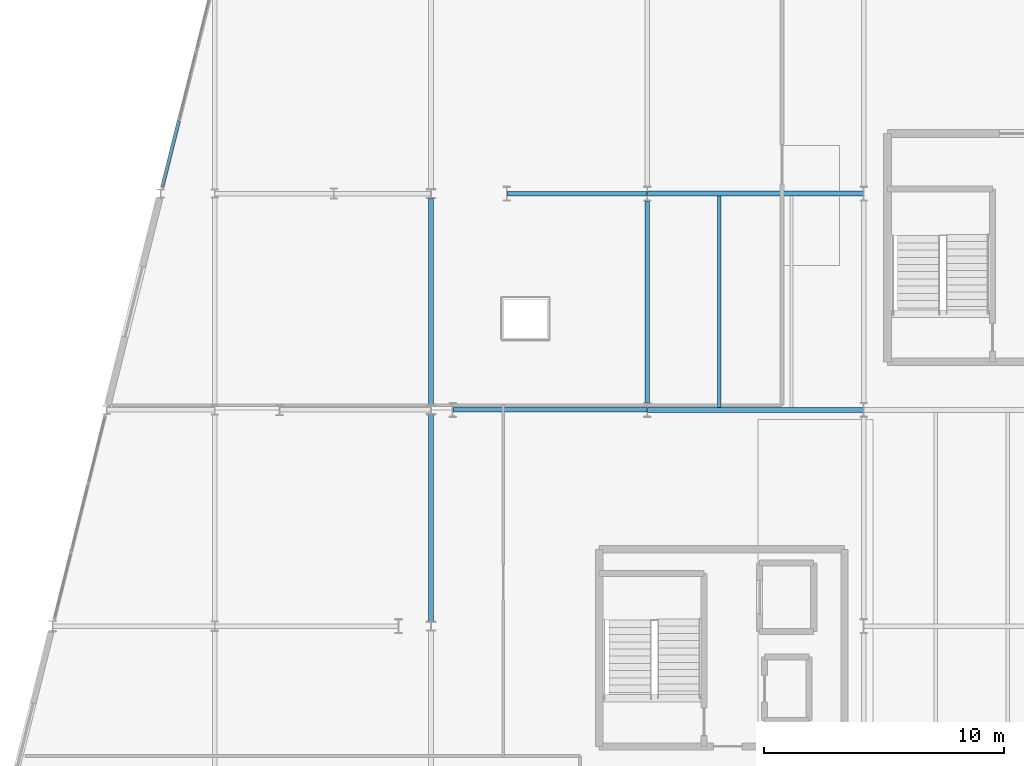
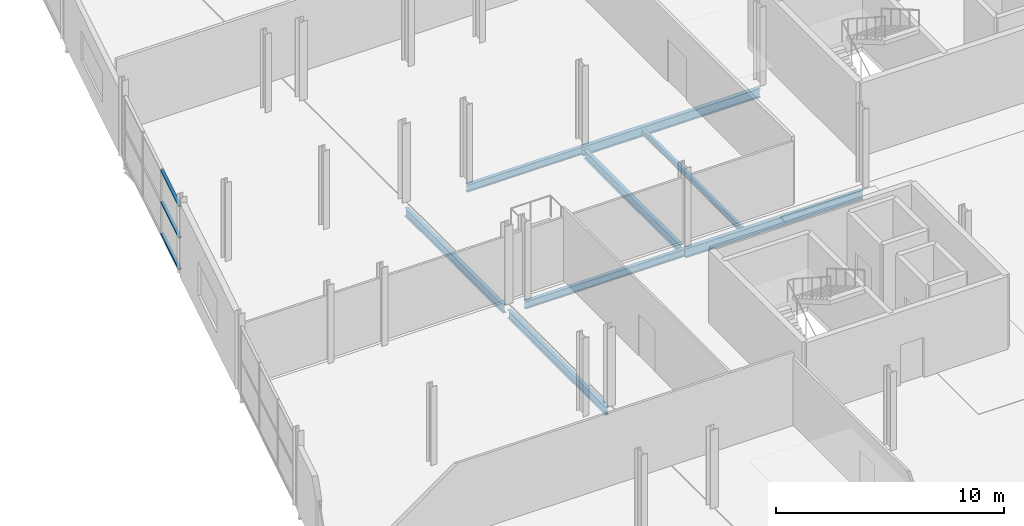
# One storey, part 56 of 103: 8 beams, 3 members, 1 element without a shape of its own.
"""IFC4 building model written with IfcOpenShell, lengths in metres."""

from ifc_helpers import new_model, si_unit, direction, frame, origin, origin_2d, place, context, subcontext, project, spatial, hollow_rectangle, i_section, extrude, material, layer, layer_set, material_profile, profile_set, type_object, element, aggregate, save


model = new_model("IFC4")

# Units and contexts
model_context = context("Model", 3, precision=1e-05, world=origin(), true_north=direction((0.0, 1.0)))
body_context = subcontext(model_context, "Body", "Model", "MODEL_VIEW")
ifc_project = project(units=[si_unit("LENGTHUNIT", "METRE"), si_unit("AREAUNIT", "SQUARE_METRE"), si_unit("VOLUMEUNIT", "CUBIC_METRE"), si_unit("PLANEANGLEUNIT", "RADIAN"), si_unit("MASSUNIT", "GRAM", prefix="KILO")], contexts=[model_context])

# Site, building, storey
site_placement = place(None, origin())
site = spatial("IfcSite", under=ifc_project, at=site_placement, CompositionType="ELEMENT")
building_placement = place(site_placement, origin())
building = spatial("IfcBuilding", under=site, at=building_placement, Name="Deido Ridge Mobility Hub", CompositionType="ELEMENT")
storey_placement = place(building_placement, frame((0.0, 0.0, 12.60009765625)))
storey = spatial("IfcBuildingStorey", under=building, at=storey_placement, Name="L03", CompositionType="ELEMENT", Elevation=12.60009765625)

# Beams
ifc_material_1 = material(Name="Steel S355J2 EN 10025-2", Category="steel")
ifc_material_profile_1 = material_profile(ifc_material_1, i_section(OverallWidth=0.179931640625, OverallDepth=0.39990234375, WebThickness=0.008544921875, FlangeThickness=0.013427734375, FilletRadius=0.02099609375, at=origin_2d()), Name="IPE 400")
ifc_profile_set_1 = profile_set([ifc_material_profile_1], Name="Steel S355J2 EN 10025-2")
beam_type_1 = type_object("IfcBeamType", Name="BM-IPE400", PredefinedType="BEAM", material=ifc_profile_set_1)
beam_1_placement = place(storey_placement, frame((144.90771484375, 36.0, -0.465087890625), z_axis=(1.0, 0.0, 0.0), x_axis=(0.0, 1.0, 0.0)))
element("IfcBeam", 1, at=beam_1_placement, inside=storey, type_object=beam_type_1, Name="Floor beam B5", PredefinedType="BEAM", context=body_context, shape_type="SweptSolid", body=[
    extrude(i_section(OverallWidth=0.179931640625, OverallDepth=0.39990234375, WebThickness=0.008544921875, FlangeThickness=0.013427734375, FilletRadius=0.02099609375, at=origin_2d()), origin(), (0.0, 0.0, 1.0), 8.08447265625),
])
beam_2_placement = place(storey_placement, frame((147.15771484375, 45.0, -0.465087890625), z_axis=(1.0, 0.0, 0.0), x_axis=(0.0, 1.0, 0.0)))
element("IfcBeam", 2, at=beam_2_placement, inside=storey, type_object=beam_type_1, Name="Floor beam B5", PredefinedType="BEAM", context=body_context, shape_type="SweptSolid", body=[
    extrude(i_section(OverallWidth=0.179931640625, OverallDepth=0.39990234375, WebThickness=0.008544921875, FlangeThickness=0.013427734375, FilletRadius=0.02099609375, at=origin_2d()), origin(), (0.0, 0.0, 1.0), 5.83447265625),
])
ifc_material_profile_2 = material_profile(ifc_material_1, i_section(OverallWidth=0.18994140625, OverallDepth=0.449951171875, WebThickness=0.009521484375, FlangeThickness=0.0146484375, FilletRadius=0.02099609375, at=origin_2d()), Name="IPE 450")
ifc_profile_set_2 = profile_set([ifc_material_profile_2], Name="Steel S355J2 EN 10025-2")
beam_type_2 = type_object("IfcBeamType", Name="BM-IPE450", PredefinedType="BEAM", material=ifc_profile_set_2)
for number, where, z_axis, x_axis, name in (
    (3, (144.0, 27.196533203125, -0.489990234375), (0.0, 1.0, 0.0), (-1.0, 0.0, 0.0), "Floor beam B4"),
    (4, (144.0, 36.196533203125, -0.489990234375), (0.0, 1.0, 0.0), (-1.0, 0.0, 0.0), "Floor beam B4"),
):
    element("IfcBeam", number, at=place(storey_placement, frame(where, z_axis=z_axis, x_axis=x_axis)), inside=storey, type_object=beam_type_2, Name=name, PredefinedType="BEAM", context=body_context, shape_type="SweptSolid", body=[
        extrude(i_section(OverallWidth=0.18994140625, OverallDepth=0.449951171875, WebThickness=0.009521484375, FlangeThickness=0.0146484375, FilletRadius=0.02099609375, at=origin_2d()), origin(), (0.0, 0.0, 1.0), 8.60693359375),
    ])
beam_3_placement = place(storey_placement, frame((153.0, 36.300048828125, -0.489990234375), z_axis=(0.0, 1.0, 0.0), x_axis=(-1.0, 0.0, 0.0)))
element("IfcBeam", 5, at=beam_3_placement, inside=storey, type_object=beam_type_2, Name="Floor beam B4", PredefinedType="BEAM", context=body_context, shape_type="SweptSolid", body=[
    extrude(i_section(OverallWidth=0.18994140625, OverallDepth=0.449951171875, WebThickness=0.009521484375, FlangeThickness=0.0146484375, FilletRadius=0.02099609375, at=origin_2d()), origin(), (0.0, 0.0, 1.0), 8.39990234375),
])
ifc_material_profile_3 = material_profile(ifc_material_1, i_section(OverallWidth=0.199951171875, OverallDepth=0.5, WebThickness=0.01025390625, FlangeThickness=0.01611328125, FilletRadius=0.02099609375, at=origin_2d()), Name="IPE 500")
ifc_profile_set_3 = profile_set([ifc_material_profile_3], Name="Steel S355J2 EN 10025-2")
beam_type_3 = type_object("IfcBeamType", Name="BM-IPE500", PredefinedType="BEAM", material=ifc_profile_set_3)
for number, where, z_axis, x_axis, name in (
    (6, (153.0078125, 36.0, -0.51513671875), (1.0, 0.0, 0.0), (0.0, 1.0, 0.0), "Floor beam B3"),
    (7, (153.0078125, 45.0, -0.51513671875), (1.0, 0.0, 0.0), (0.0, 1.0, 0.0), "Floor beam B3"),
):
    element("IfcBeam", number, at=place(storey_placement, frame(where, z_axis=z_axis, x_axis=x_axis)), inside=storey, type_object=beam_type_3, Name=name, PredefinedType="BEAM", context=body_context, shape_type="SweptSolid", body=[
        extrude(i_section(OverallWidth=0.199951171875, OverallDepth=0.5, WebThickness=0.01025390625, FlangeThickness=0.01611328125, FilletRadius=0.02099609375, at=origin_2d()), origin(), (0.0, 0.0, 1.0), 8.984375),
    ])
ifc_material_profile_4 = material_profile(ifc_material_1, i_section(OverallWidth=0.14990234375, OverallDepth=0.300048828125, WebThickness=0.007080078125, FlangeThickness=0.0107421875, FilletRadius=0.014892578125, at=origin_2d()), Name="IPE 300")
ifc_profile_set_4 = profile_set([ifc_material_profile_4], Name="Steel S355J2 EN 10025-2")
beam_type_4 = type_object("IfcBeamType", Name="JST-IPE300", PredefinedType="JOIST", material=ifc_profile_set_4)
beam_4_placement = place(storey_placement, frame((156.0, 36.10009765625, -0.4150390625), z_axis=(0.0, 1.0, 0.0), x_axis=(-1.0, 0.0, 0.0)))
element("IfcBeam", 8, at=beam_4_placement, inside=storey, type_object=beam_type_4, Name="Composite joist J3", PredefinedType="JOIST", context=body_context, shape_type="SweptSolid", body=[
    extrude(i_section(OverallWidth=0.14990234375, OverallDepth=0.300048828125, WebThickness=0.007080078125, FlangeThickness=0.0107421875, FilletRadius=0.014892578125, at=origin_2d()), origin(), (0.0, 0.0, 1.0), 8.7998046875),
])

# Curtain wall, members
ifc_material_2 = material(Name="Anodised aluminium EN AW-6063 T6", Category="aluminium")
ifc_layer = layer(ifc_material_2, 0.239990234375, Name="Anodised aluminium EN AW-6063 T6")
ifc_layer_set = layer_set([ifc_layer], Name="Anodised aluminium EN AW-6063 T6")
curtain_wall_type = type_object("IfcCurtainWallType", Name="CW-UF-6", PredefinedType="USERDEFINED", material=ifc_layer_set)
curtain_wall_placement = place(storey_placement, origin())
curtain_wall = element("IfcCurtainWall", 9, at=curtain_wall_placement, inside=storey, type_object=curtain_wall_type, Name="Unitised curtain wall CW6", ObjectType="UNITISED FACADE", PredefinedType="USERDEFINED")
ifc_material_profile_5 = material_profile(ifc_material_2, hollow_rectangle(XDim=0.14501953125, YDim=0.070068359375, WallThickness=0.00390625, at=origin_2d()), Name="RHS 145x70x4")
ifc_profile_set_5 = profile_set([ifc_material_profile_5], Name="Anodised aluminium EN AW-6063 T6")
member_type = type_object("IfcMemberType", Name="MEM-TRN-145X70", PredefinedType="USERDEFINED", material=ifc_profile_set_5)
member_1_placement = place(storey_placement, frame((132.818115234375, 45.272705078125, 0.034912109375), z_axis=(0.242555806014, 0.970137454678, 0.0), x_axis=(-0.970137454678, 0.242555806014, 0.0)))
member_1 = element("IfcMember", 10, at=member_1_placement, type_object=member_type, Name="CW6 transom 1.1", ObjectType="TRANSOM", PredefinedType="USERDEFINED", context=body_context, shape_type="SweptSolid", body=[
    extrude(hollow_rectangle(XDim=0.14501953125, YDim=0.070068359375, WallThickness=0.00390625, at=origin_2d()), origin(), (0.0, 0.0, 1.0), 2.846435546875),
])
member_2_placement = place(storey_placement, frame((132.818115234375, 45.272705078125, 1.724853515625), z_axis=(0.242555806014, 0.970137454678, 0.0), x_axis=(-0.970137454678, 0.242555806014, 0.0)))
member_2 = element("IfcMember", 11, at=member_2_placement, type_object=member_type, Name="CW6 transom 1.2", ObjectType="TRANSOM", PredefinedType="USERDEFINED", context=body_context, shape_type="SweptSolid", body=[
    extrude(hollow_rectangle(XDim=0.14501953125, YDim=0.070068359375, WallThickness=0.00390625, at=origin_2d()), origin(), (0.0, 0.0, 1.0), 2.846435546875),
])
member_3_placement = place(storey_placement, frame((132.818115234375, 45.272705078125, 3.414794921875), z_axis=(0.242555806014, 0.970137454678, 0.0), x_axis=(-0.970137454678, 0.242555806014, 0.0)))
member_3 = element("IfcMember", 12, at=member_3_placement, type_object=member_type, Name="CW6 transom 1.3", ObjectType="TRANSOM", PredefinedType="USERDEFINED", context=body_context, shape_type="SweptSolid", body=[
    extrude(hollow_rectangle(XDim=0.14501953125, YDim=0.070068359375, WallThickness=0.00390625, at=origin_2d()), origin(), (0.0, 0.0, 1.0), 2.846435546875),
])
aggregate(curtain_wall, [member_1, member_2, member_3])

save(model, "model.ifc")
